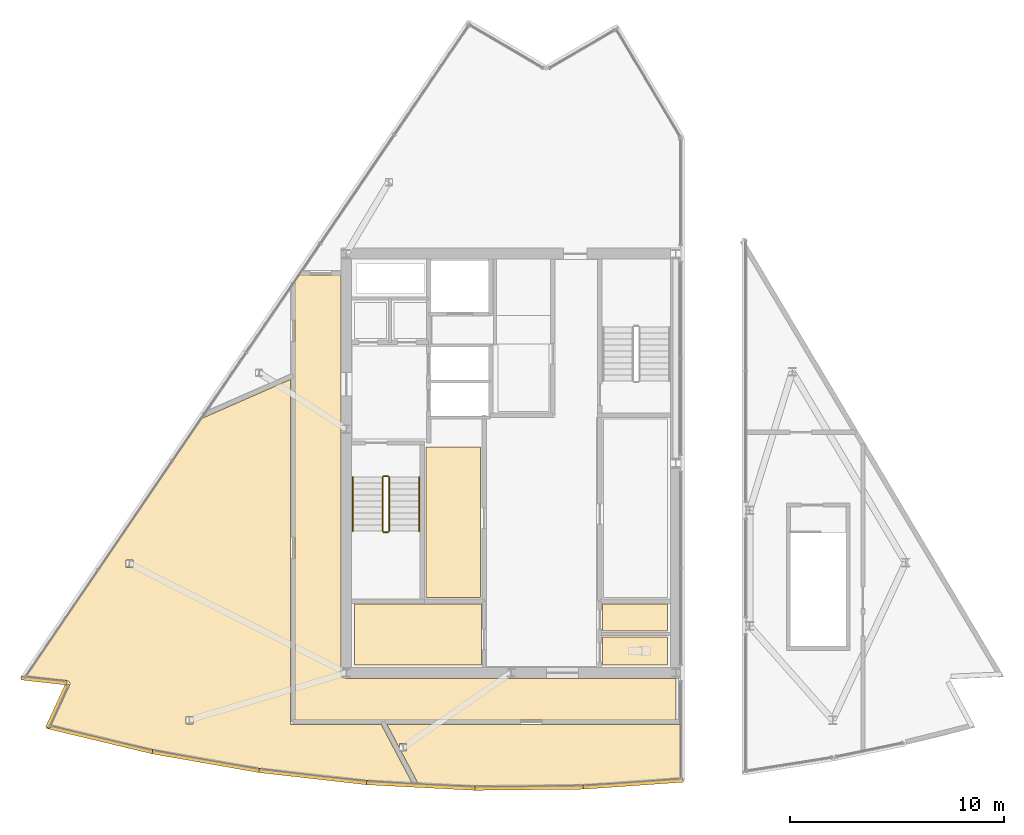
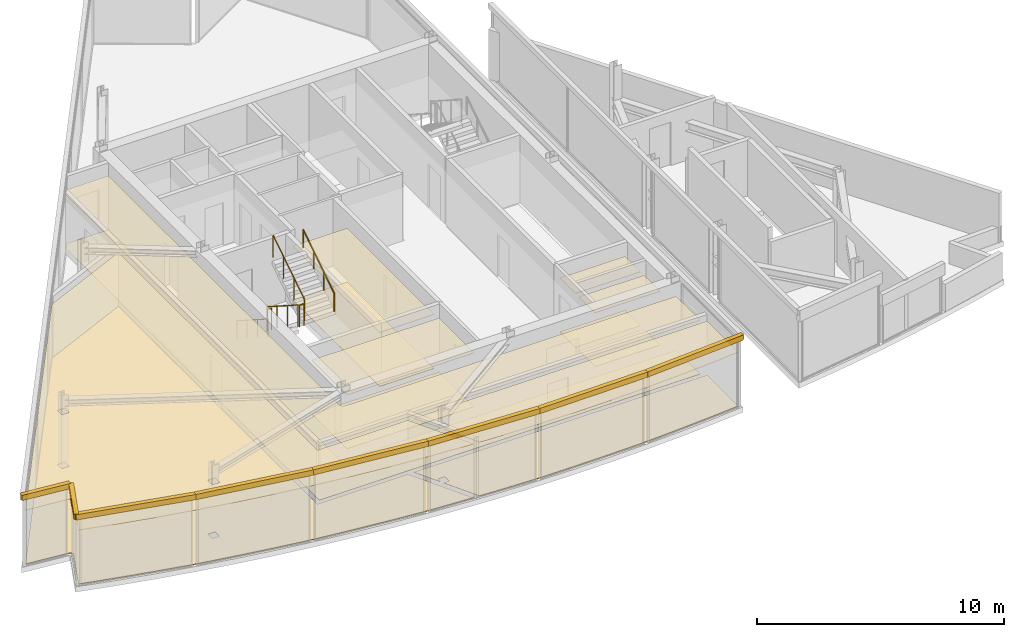
# One storey, part 10 of 13: 22 coverings, 6 railings.
"""IFC4 building model written with IfcOpenShell, lengths in metres."""

import ifcopenshell
import ifcopenshell.guid

model = None  # the IFC model being written
_history = None  # IfcOwnerHistory: only IFC2X3 demands one
_inside = {}  # id of a spatial element -> (the spatial element, [elements in it])
_under = {}  # id of a project, library or spatial element -> (it, [spatial elements below it])
_declared = {}  # id of a project -> (the project, [libraries it declares])
_typed = {}  # id of a type object -> (the type object, [elements of that type])
_made_of = {}  # id of a material, layer set ... -> (it, [elements and type objects made of it])


def new_model(schema):
    """Start an empty IFC model of exactly this schema.

    Asked for "IFC4X3", IfcOpenShell would pick the latest addendum, in which some entities
    have other attributes; the version numbers below select the first issue.
    IFC2X3 requires an IfcOwnerHistory on every rooted entity: one is made here for all.
    """
    global model, _history
    if schema == "IFC4X3":
        model = ifcopenshell.file(schema_version=(4, 3, 0, 0))
    else:
        model = ifcopenshell.file(schema=schema)
    _inside.clear()
    _under.clear()
    _declared.clear()
    _typed.clear()
    _made_of.clear()
    _history = None
    if model.schema == "IFC2X3":
        org = make("IfcOrganization", Name="unknown")
        user = make(
            "IfcPersonAndOrganization",
            ThePerson=make("IfcPerson", FamilyName="unknown"),
            TheOrganization=org,
        )
        app = make(
            "IfcApplication",
            ApplicationDeveloper=org,
            Version="unknown",
            ApplicationFullName="unknown",
            ApplicationIdentifier="unknown",
        )
        _history = make(
            "IfcOwnerHistory",
            OwningUser=user,
            OwningApplication=app,
            ChangeAction="ADDED",
            CreationDate=0,
        )
    return model


def make(cls, **values):
    """One entity of the class cls with the attributes given. An attribute that is None is left unset."""
    return model.create_entity(
        cls, **{name: value for name, value in values.items() if value is not None}
    )


def rooted(cls, **values):
    """An entity with a GlobalId (a new one), such as an element, a storey or a relation."""
    return make(cls, GlobalId=ifcopenshell.guid.new(), OwnerHistory=_history, **values)


def si_unit(unit_type, name, prefix=None):
    """IfcSIUnit, for example si_unit("LENGTHUNIT", "METRE", prefix="MILLI")."""
    return make("IfcSIUnit", UnitType=unit_type, Prefix=prefix, Name=name)


def assignment(units):
    """IfcUnitAssignment: the units of a project."""
    return None if units is None else make("IfcUnitAssignment", Units=units)


def point(xyz):
    """IfcCartesianPoint."""
    return None if xyz is None else make("IfcCartesianPoint", Coordinates=xyz)


def direction(xyz):
    """IfcDirection."""
    return None if xyz is None else make("IfcDirection", DirectionRatios=xyz)


def frame(location, z_axis=None, x_axis=None):
    """IfcAxis2Placement3D, a coordinate frame: its origin and axes. An axis left out is left unset."""
    return make(
        "IfcAxis2Placement3D",
        Location=point(location),
        Axis=direction(z_axis),
        RefDirection=direction(x_axis),
    )


def frame_2d(location, x_axis=None):
    """IfcAxis2Placement2D, a coordinate frame in the plane: its origin and x axis."""
    return make(
        "IfcAxis2Placement2D", Location=point(location), RefDirection=direction(x_axis)
    )


def origin():
    """The frame at (0, 0, 0) with its axes left unset."""
    return frame((0.0, 0.0, 0.0))


def origin_2d():
    """The frame at (0, 0) in the plane with its x axis left unset."""
    return frame_2d((0.0, 0.0))


def place(relative_to, where):
    """IfcLocalPlacement: puts the frame where relative to a parent placement (None: the world)."""
    return make(
        "IfcLocalPlacement", PlacementRelTo=relative_to, RelativePlacement=where
    )


def context(
    kind, dimensions, precision=None, world=None, true_north=None, identifier=None
):
    """IfcGeometricRepresentationContext, for example the 3D "Model" context."""
    return make(
        "IfcGeometricRepresentationContext",
        ContextIdentifier=identifier,
        ContextType=kind,
        CoordinateSpaceDimension=dimensions,
        Precision=precision,
        WorldCoordinateSystem=world,
        TrueNorth=true_north,
    )


def subcontext(parent, identifier, kind, view, scale=None):
    """IfcGeometricRepresentationSubContext, for example "Body" below "Model"."""
    return make(
        "IfcGeometricRepresentationSubContext",
        ContextIdentifier=identifier,
        ContextType=kind,
        ParentContext=parent,
        TargetScale=scale,
        TargetView=view,
    )


def project(units=None, contexts=None):
    """IfcProject with its units and contexts."""
    return rooted(
        "IfcProject",
        Name="project",
        RepresentationContexts=contexts,
        UnitsInContext=assignment(units),
    )


def spatial(cls, under=None, at=None, **own):
    """A site, building, storey or space (cls), placed at a placement, below another one or the project."""
    s = rooted(cls, ObjectPlacement=at, **own)
    if under is not None:
        _under.setdefault(under.id(), (under, []))[1].append(s)
    return s


def polyline(points):
    """IfcPolyline through the points."""
    return make("IfcPolyline", Points=[point(p) for p in points])


def profile(cls, at=None, kind="AREA", **sizes):
    """A parametric profile (cls). Its sizes go by their IFC names, for example OverallWidth=200.0."""
    return make(cls, ProfileType=kind, Position=at, **sizes)


def circle(**sizes):
    """IfcCircleProfileDef."""
    return profile("IfcCircleProfileDef", **sizes)


def outline(outer, holes=None, kind="AREA"):
    """IfcArbitraryClosedProfileDef: a profile drawn as a closed curve; with holes, ...WithVoids."""
    if holes is None:
        return make("IfcArbitraryClosedProfileDef", ProfileType=kind, OuterCurve=outer)
    return make(
        "IfcArbitraryProfileDefWithVoids",
        ProfileType=kind,
        OuterCurve=outer,
        InnerCurves=holes,
    )


def extrude(swept, where, along, depth):
    """IfcExtrudedAreaSolid: the profile swept, set in the frame where, extruded along a direction by depth."""
    return make(
        "IfcExtrudedAreaSolid",
        SweptArea=swept,
        Position=where,
        ExtrudedDirection=direction(along),
        Depth=depth,
    )


def shape(context_of_items, identifier, shape_type, items):
    """IfcShapeRepresentation: the items that make up one representation, for example the "Body"."""
    return make(
        "IfcShapeRepresentation",
        ContextOfItems=context_of_items,
        RepresentationIdentifier=identifier,
        RepresentationType=shape_type,
        Items=items,
    )


def material(Name=None, Category=None):
    """IfcMaterial."""
    return make("IfcMaterial", Name=Name, Category=Category)


def layer(
    of_material, thickness, ventilated=None, Name=None, Category=None, Priority=None
):
    """IfcMaterialLayer: one layer of a wall or slab, of a material (None: an air gap)."""
    return make(
        "IfcMaterialLayer",
        Material=of_material,
        LayerThickness=thickness,
        IsVentilated=ventilated,
        Name=Name,
        Category=Category,
        Priority=Priority,
    )


def layer_set(layers, Name=None):
    """IfcMaterialLayerSet."""
    return make("IfcMaterialLayerSet", MaterialLayers=layers, LayerSetName=Name)


def made_of(thing, what):
    """Note that an element or type object is made of a material, layer set ...; save() writes the relation."""
    if what is not None:
        _made_of.setdefault(what.id(), (what, []))[1].append(thing)
    return thing


def type_object(cls, material=None, **own):
    """A type object (cls), such as IfcWallType, which elements share."""
    return made_of(rooted(cls, **own), material)


def element(
    cls,
    number,
    at=None,
    inside=None,
    cuts=None,
    type_object=None,
    material=None,
    context=None,
    identifier="Body",
    shape_type=None,
    held_by="IfcProductDefinitionShape",
    body=None,
    shapes=None,
    **own,
):
    """One element of the class cls, such as IfcWall. Its Tag is "e" and its number.

    at: its placement. inside: the storey or other place that contains it. cuts: it is an
    opening in that element (IfcRelVoidsElement). A single representation is given by context,
    identifier, shape_type and body (its items); several are given by shapes. held_by: the class
    of the entity that holds the representations. save() writes the other relations.
    """
    e = rooted(cls, Tag="e%d" % number, ObjectPlacement=at, **own)
    if body is not None:
        shapes = [shape(context, identifier, shape_type, body)]
    if shapes is not None:
        e.Representation = make(held_by, Representations=shapes)
    if inside is not None:
        _inside.setdefault(inside.id(), (inside, []))[1].append(e)
    if cuts is not None:
        rooted(
            "IfcRelVoidsElement", RelatingBuildingElement=cuts, RelatedOpeningElement=e
        )
    if type_object is not None:
        _typed.setdefault(type_object.id(), (type_object, []))[1].append(e)
    return made_of(e, material)


def aggregate(whole, parts):
    """IfcRelAggregates: a whole, such as a stair, and the parts it consists of."""
    return rooted("IfcRelAggregates", RelatingObject=whole, RelatedObjects=parts)


def save(model, path):
    """Write the relations noted so far, then the file.

    IfcRelAggregates (storeys below a building ...), IfcRelContainedInSpatialStructure (elements
    in a storey), IfcRelDefinesByType, IfcRelAssociatesMaterial and IfcRelDeclares: one each for
    every whole, place, type object, material and project.
    """
    for whole, parts in _under.values():
        aggregate(whole, parts)
    for where, things in _inside.values():
        rooted(
            "IfcRelContainedInSpatialStructure",
            RelatedElements=things,
            RelatingStructure=where,
        )
    for kind, things in _typed.values():
        rooted("IfcRelDefinesByType", RelatedObjects=things, RelatingType=kind)
    for what, things in _made_of.values():
        rooted("IfcRelAssociatesMaterial", RelatedObjects=things, RelatingMaterial=what)
    for by, libraries in _declared.values():
        rooted("IfcRelDeclares", RelatingContext=by, RelatedDefinitions=libraries)
    model.write(path)


model = new_model("IFC4")

# Units and contexts
model_context = context("Model", 3, precision=1e-05, world=origin(), true_north=direction((0.0, 1.0)))
body_context = subcontext(model_context, "Body", "Model", "MODEL_VIEW")
ifc_project = project(units=[si_unit("LENGTHUNIT", "METRE"), si_unit("AREAUNIT", "SQUARE_METRE"), si_unit("VOLUMEUNIT", "CUBIC_METRE"), si_unit("PLANEANGLEUNIT", "RADIAN"), si_unit("MASSUNIT", "GRAM", prefix="KILO")], contexts=[model_context])

# Site, building, storey
site_placement = place(None, origin())
site = spatial("IfcSite", under=ifc_project, at=site_placement, CompositionType="ELEMENT")
building_placement = place(site_placement, origin())
building = spatial("IfcBuilding", under=site, at=building_placement, Name="Savorim Split Tower", CompositionType="ELEMENT")
storey_placement = place(building_placement, frame((0.0, 0.0, 312.0)))
storey = spatial("IfcBuildingStorey", under=building, at=storey_placement, Name="Crown L83 Plant", CompositionType="ELEMENT", Elevation=312.0)

# Coverings
ifc_material_1 = material(Name="Mineral Fibre Acoustic Ceiling")
ifc_layer_1 = layer(ifc_material_1, 0.02490234375)
ifc_layer_set_1 = layer_set([ifc_layer_1], Name="COV-CEIL-25")
covering_type_1 = type_object("IfcCoveringType", Name="COV-CEIL-25", PredefinedType="CEILING", material=ifc_layer_set_1)
covering_1_placement = place(storey_placement, frame((0.0, 0.0, 2.659912109375)))
element("IfcCovering", 1, at=covering_1_placement, inside=storey, type_object=covering_type_1, Name="Crown L83 Plant Core Mechanical Store West Acoustic Ceiling", PredefinedType="CEILING", context=body_context, shape_type="SweptSolid", body=[
    extrude(outline(polyline([(-3.969970703125, 1.169921875), (-3.969970703125, -5.8701171875), (-1.429931640625, -5.8701171875), (-1.429931640625, 1.169921875), (-3.969970703125, 1.169921875)])), origin(), (0.0, 0.0, 1.0), 0.025146484375),
])
covering_2_placement = place(storey_placement, frame((0.0, 0.0, 2.659912109375)))
element("IfcCovering", 2, at=covering_2_placement, inside=storey, type_object=covering_type_1, Name="Crown L83 Plant Housekeeping Store Acoustic Ceiling", PredefinedType="CEILING", context=body_context, shape_type="SweptSolid", body=[
    extrude(outline(polyline([(-7.320068359375, -6.179931640625), (-7.320068359375, -9.02001953125), (-1.3798828125, -9.02001953125), (-1.3798828125, -6.179931640625), (-7.320068359375, -6.179931640625)])), origin(), (0.0, 0.0, 1.0), 0.025146484375),
])
covering_3_placement = place(storey_placement, frame((0.0, 0.0, 2.659912109375)))
element("IfcCovering", 3, at=covering_3_placement, inside=storey, type_object=covering_type_1, Name="Crown L83 Plant Accessible WC Acoustic Ceiling", PredefinedType="CEILING", context=body_context, shape_type="SweptSolid", body=[
    extrude(outline(polyline([(4.280029296875, -7.719970703125), (4.280029296875, -9.02001953125), (7.320068359375, -9.02001953125), (7.320068359375, -7.719970703125), (4.280029296875, -7.719970703125)])), origin(), (0.0, 0.0, 1.0), 0.025146484375),
])
covering_4_placement = place(storey_placement, frame((0.0, 0.0, 2.659912109375)))
element("IfcCovering", 4, at=covering_4_placement, inside=storey, type_object=covering_type_1, Name="Crown L83 Plant Cleaning Store Acoustic Ceiling", PredefinedType="CEILING", context=body_context, shape_type="SweptSolid", body=[
    extrude(outline(polyline([(4.280029296875, -6.179931640625), (4.280029296875, -7.43994140625), (7.320068359375, -7.43994140625), (7.320068359375, -6.179931640625), (4.280029296875, -6.179931640625)])), origin(), (0.0, 0.0, 1.0), 0.025146484375),
])
covering_5_placement = place(storey_placement, frame((0.0, 0.0, 2.659912109375)))
element("IfcCovering", 5, at=covering_5_placement, inside=storey, type_object=covering_type_1, Name="Crown L83 Plant Plant Corridor Acoustic Ceiling", PredefinedType="CEILING", context=body_context, shape_type="SweptSolid", body=[
    extrude(outline(polyline([(-10.10009765625, -11.60009765625), (-7.699951171875, -11.60009765625), (7.699951171875, -11.60009765625), (7.699951171875, -9.64990234375), (-7.699951171875, -9.64990234375), (-7.724609375, -9.648681640625), (-7.748779296875, -9.645263671875), (-7.772705078125, -9.63916015625), (-7.795654296875, -9.631103515625), (-7.81787109375, -9.62060546875), (-7.8388671875, -9.60791015625), (-7.85498046875, -9.595947265625), (-7.89697265625, -9.595947265625), (-7.89697265625, -9.553466796875), (-7.907958984375, -9.538818359375), (-7.92041015625, -9.517822265625), (-7.930908203125, -9.49560546875), (-7.939208984375, -9.47265625), (-7.9453125, -9.44873046875), (-7.94873046875, -9.424560546875), (-7.949951171875, -9.39990234375), (-7.949951171875, 9.199951171875), (-9.89599609375, 9.199951171875), (-10.10009765625, 8.900146484375), (-10.10009765625, -9.39990234375), (-10.10009765625, -11.60009765625)])), origin(), (0.0, 0.0, 1.0), 0.025146484375),
])
covering_6_placement = place(storey_placement, frame((0.0, 0.0, 2.659912109375)))
element("IfcCovering", 6, at=covering_6_placement, inside=storey, type_object=covering_type_1, Name="Crown L83 Plant AHU Mechanical Plant Room Acoustic Ceiling", PredefinedType="CEILING", context=body_context, shape_type="SweptSolid", body=[
    extrude(outline(polyline([(-8.41552734375, -14.274658203125), (-6.736572265625, -14.4296875), (-5.054931640625, -14.55029296875), (-4.609375, -14.5732421875), (-6.072509765625, -11.800048828125), (-10.06005859375, -11.800048828125), (-10.179931640625, -11.800048828125), (-10.300048828125, -11.800048828125), (-10.300048828125, -11.56005859375), (-10.300048828125, 4.31640625), (-14.352783203125, 2.538818359375), (-14.459228515625, 2.4921875), (-22.654541015625, -9.554931640625), (-20.7470703125, -9.76806640625), (-20.733154296875, -9.770263671875), (-20.7197265625, -9.773681640625), (-20.706787109375, -9.77880859375), (-20.6943359375, -9.784912109375), (-20.6826171875, -9.792236328125), (-20.67138671875, -9.80078125), (-20.661376953125, -9.810302734375), (-20.652099609375, -9.82080078125), (-20.644287109375, -9.832275390625), (-20.63720703125, -9.844482421875), (-20.631591796875, -9.857177734375), (-20.62744140625, -9.870361328125), (-20.62451171875, -9.8837890625), (-20.622802734375, -9.897705078125), (-20.62255859375, -9.91162109375), (-20.623779296875, -9.925537109375), (-20.626220703125, -9.939208984375), (-20.630126953125, -9.95263671875), (-20.63525390625, -9.965576171875), (-21.500732421875, -11.84912109375), (-20.02978515625, -12.23388671875), (-18.39013671875, -12.626953125), (-16.742919921875, -12.986572265625), (-15.088623046875, -13.312255859375), (-13.427978515625, -13.60400390625), (-11.761962890625, -13.86181640625), (-10.0908203125, -14.085205078125), (-8.41552734375, -14.274658203125)]), holes=[polyline([(-14.872314453125, -11.776611328125), (-14.872314453125, -11.426513671875), (-15.2021484375, -11.426513671875), (-15.2021484375, -11.776611328125), (-14.872314453125, -11.776611328125)]), polyline([(-17.67529296875, -4.463623046875), (-17.67529296875, -4.11376953125), (-18.00537109375, -4.11376953125), (-18.00537109375, -4.463623046875), (-17.67529296875, -4.463623046875)])]), origin(), (0.0, 0.0, 1.0), 0.025146484375),
])
covering_7_placement = place(storey_placement, frame((0.0, 0.0, 2.659912109375)))
element("IfcCovering", 7, at=covering_7_placement, inside=storey, type_object=covering_type_1, Name="Crown L83 Plant Chiller Plant Room Acoustic Ceiling", PredefinedType="CEILING", context=body_context, shape_type="SweptSolid", body=[
    extrude(outline(polyline([(3.37109375, -14.63671875), (5.054931640625, -14.55029296875), (6.736572265625, -14.4296875), (7.909912109375, -14.3212890625), (7.909912109375, -11.800048828125), (-5.801025390625, -11.800048828125), (-5.20458984375, -12.930419921875), (-5.20458984375, -12.710205078125), (-4.874755859375, -12.710205078125), (-4.874755859375, -13.06005859375), (-5.13623046875, -13.06005859375), (-4.342041015625, -14.5654296875), (-4.330322265625, -14.58740234375), (-3.37109375, -14.63671875), (-1.685791015625, -14.688232421875), (0.0, -14.70556640625), (1.685791015625, -14.688232421875), (3.37109375, -14.63671875)])), origin(), (0.0, 0.0, 1.0), 0.025146484375),
])
ifc_material_2 = material(Name="Terracotta Ceramic-Coated Aluminium Fin", Category="masonry")
ifc_layer_2 = layer(ifc_material_2, 0.050048828125)
ifc_layer_set_2 = layer_set([ifc_layer_2], Name="COV-CLAD-TERRA")
covering_type_2 = type_object("IfcCoveringType", Name="COV-CLAD-TERRA", PredefinedType="CLADDING", material=ifc_layer_set_2)
covering_8_placement = place(storey_placement, frame((0.0, 0.0, 3.340087890625)))
element("IfcCovering", 8, at=covering_8_placement, inside=storey, type_object=covering_type_2, Name="Crown L83 Plant Sloped Crest Eave Spandrel W6", PredefinedType="CLADDING", context=body_context, shape_type="SweptSolid", body=[
    extrude(outline(polyline([(-22.90771484375, -9.727783203125), (-20.769287109375, -9.966796875), (-20.7470703125, -9.76806640625), (-22.885498046875, -9.529296875), (-22.90771484375, -9.727783203125)])), origin(), (0.0, 0.0, 1.0), 0.260009765625),
])
covering_9_placement = place(storey_placement, frame((0.0, 0.0, 3.340087890625)))
element("IfcCovering", 9, at=covering_9_placement, inside=storey, type_object=covering_type_2, Name="Crown L83 Plant Sloped Crest Eave Spandrel W7", PredefinedType="CLADDING", context=body_context, shape_type="SweptSolid", body=[
    extrude(outline(polyline([(-20.81689453125, -9.882080078125), (-21.752197265625, -11.91748046875), (-21.5703125, -12.000732421875), (-20.63525390625, -9.965576171875), (-20.81689453125, -9.882080078125)])), origin(), (0.0, 0.0, 1.0), 0.260009765625),
])
covering_10_placement = place(storey_placement, frame((0.0, 0.0, 3.340087890625)))
element("IfcCovering", 10, at=covering_10_placement, inside=storey, type_object=covering_type_2, Name="Crown L83 Plant Sloped Crest Eave Spandrel W8", PredefinedType="CLADDING", context=body_context, shape_type="SweptSolid", body=[
    extrude(outline(polyline([(-21.711669921875, -12.000732421875), (-16.785400390625, -13.181884765625), (-16.73876953125, -12.987548828125), (-21.6650390625, -11.806396484375), (-21.711669921875, -12.000732421875)])), origin(), (0.0, 0.0, 1.0), 0.260009765625),
])
covering_11_placement = place(storey_placement, frame((0.0, 0.0, 3.340087890625)))
element("IfcCovering", 11, at=covering_11_placement, inside=storey, type_object=covering_type_2, Name="Crown L83 Plant Sloped Crest Eave Spandrel W9", PredefinedType="CLADDING", context=body_context, shape_type="SweptSolid", body=[
    extrude(outline(polyline([(-16.78173828125, -13.1826171875), (-11.792236328125, -14.059326171875), (-11.7578125, -13.8623046875), (-16.7470703125, -12.985595703125), (-16.78173828125, -13.1826171875)])), origin(), (0.0, 0.0, 1.0), 0.260009765625),
])
covering_12_placement = place(storey_placement, frame((0.0, 0.0, 3.340087890625)))
element("IfcCovering", 12, at=covering_12_placement, inside=storey, type_object=covering_type_2, Name="Crown L83 Plant Sloped Crest Eave Spandrel W10", PredefinedType="CLADDING", context=body_context, shape_type="SweptSolid", body=[
    extrude(outline(polyline([(-11.78857421875, -14.059814453125), (-6.754638671875, -14.62890625), (-6.732421875, -14.43017578125), (-11.76611328125, -13.861083984375), (-11.78857421875, -14.059814453125)])), origin(), (0.0, 0.0, 1.0), 0.260009765625),
])
covering_13_placement = place(storey_placement, frame((0.0, 0.0, 3.340087890625)))
element("IfcCovering", 13, at=covering_13_placement, inside=storey, type_object=covering_type_2, Name="Crown L83 Plant Sloped Crest Eave Spandrel W11", PredefinedType="CLADDING", context=body_context, shape_type="SweptSolid", body=[
    extrude(outline(polyline([(-6.751220703125, -14.629150390625), (-1.69189453125, -14.88818359375), (-1.681640625, -14.6884765625), (-6.74072265625, -14.429443359375), (-6.751220703125, -14.629150390625)])), origin(), (0.0, 0.0, 1.0), 0.260009765625),
])
covering_14_placement = place(storey_placement, frame((0.0, 0.0, 3.340087890625)))
element("IfcCovering", 14, at=covering_14_placement, inside=storey, type_object=covering_type_2, Name="Crown L83 Plant Sloped Crest Eave Spandrel W12", PredefinedType="CLADDING", context=body_context, shape_type="SweptSolid", body=[
    extrude(outline(polyline([(-1.688232421875, -14.88818359375), (3.37744140625, -14.83642578125), (3.37548828125, -14.636474609375), (-1.690185546875, -14.688232421875), (-1.688232421875, -14.88818359375)])), origin(), (0.0, 0.0, 1.0), 0.260009765625),
])
covering_15_placement = place(storey_placement, frame((0.0, 0.0, 3.340087890625)))
element("IfcCovering", 15, at=covering_15_placement, inside=storey, type_object=covering_type_2, Name="Crown L83 Plant Sloped Crest Eave Spandrel W13", PredefinedType="CLADDING", context=body_context, shape_type="SweptSolid", body=[
    extrude(outline(polyline([(3.381103515625, -14.83642578125), (8.05419921875, -14.509033203125), (8.040283203125, -14.309326171875), (3.366943359375, -14.63671875), (3.381103515625, -14.83642578125)])), origin(), (0.0, 0.0, 1.0), 0.260009765625),
])
ifc_material_3 = material(Name="Porcelain Stoneware Flooring", Category="masonry")
ifc_layer_3 = layer(ifc_material_3, 0.02001953125)
ifc_layer_set_3 = layer_set([ifc_layer_3], Name="COV-FLOR-20")
covering_type_3 = type_object("IfcCoveringType", Name="COV-FLOR-20", PredefinedType="FLOORING", material=ifc_layer_set_3)
covering_16_placement = place(storey_placement, origin())
element("IfcCovering", 16, at=covering_16_placement, inside=storey, type_object=covering_type_3, Name="Crown L83 Plant Core Mechanical Store West Porcelain Flooring", PredefinedType="FLOORING", context=body_context, shape_type="SweptSolid", body=[
    extrude(outline(polyline([(-3.969970703125, 1.169921875), (-3.969970703125, -5.8701171875), (-1.429931640625, -5.8701171875), (-1.429931640625, 1.169921875), (-3.969970703125, 1.169921875)])), origin(), (0.0, 0.0, 1.0), 0.02001953125),
])
covering_17_placement = place(storey_placement, origin())
element("IfcCovering", 17, at=covering_17_placement, inside=storey, type_object=covering_type_3, Name="Crown L83 Plant Housekeeping Store Porcelain Flooring", PredefinedType="FLOORING", context=body_context, shape_type="SweptSolid", body=[
    extrude(outline(polyline([(-7.320068359375, -6.179931640625), (-7.320068359375, -9.02001953125), (-1.3798828125, -9.02001953125), (-1.3798828125, -6.179931640625), (-7.320068359375, -6.179931640625)])), origin(), (0.0, 0.0, 1.0), 0.02001953125),
])
covering_18_placement = place(storey_placement, origin())
element("IfcCovering", 18, at=covering_18_placement, inside=storey, type_object=covering_type_3, Name="Crown L83 Plant Accessible WC Porcelain Flooring", PredefinedType="FLOORING", context=body_context, shape_type="SweptSolid", body=[
    extrude(outline(polyline([(4.280029296875, -7.719970703125), (4.280029296875, -9.02001953125), (7.320068359375, -9.02001953125), (7.320068359375, -7.719970703125), (4.280029296875, -7.719970703125)])), origin(), (0.0, 0.0, 1.0), 0.02001953125),
])
covering_19_placement = place(storey_placement, origin())
element("IfcCovering", 19, at=covering_19_placement, inside=storey, type_object=covering_type_3, Name="Crown L83 Plant Cleaning Store Porcelain Flooring", PredefinedType="FLOORING", context=body_context, shape_type="SweptSolid", body=[
    extrude(outline(polyline([(4.280029296875, -6.179931640625), (4.280029296875, -7.43994140625), (7.320068359375, -7.43994140625), (7.320068359375, -6.179931640625), (4.280029296875, -6.179931640625)])), origin(), (0.0, 0.0, 1.0), 0.02001953125),
])
covering_20_placement = place(storey_placement, origin())
element("IfcCovering", 20, at=covering_20_placement, inside=storey, type_object=covering_type_3, Name="Crown L83 Plant Plant Corridor Porcelain Flooring", PredefinedType="FLOORING", context=body_context, shape_type="SweptSolid", body=[
    extrude(outline(polyline([(-10.10009765625, -11.60009765625), (-7.699951171875, -11.60009765625), (7.699951171875, -11.60009765625), (7.699951171875, -9.64990234375), (-7.699951171875, -9.64990234375), (-7.724609375, -9.648681640625), (-7.748779296875, -9.645263671875), (-7.772705078125, -9.63916015625), (-7.795654296875, -9.631103515625), (-7.81787109375, -9.62060546875), (-7.8388671875, -9.60791015625), (-7.85498046875, -9.595947265625), (-7.89697265625, -9.595947265625), (-7.89697265625, -9.553466796875), (-7.907958984375, -9.538818359375), (-7.92041015625, -9.517822265625), (-7.930908203125, -9.49560546875), (-7.939208984375, -9.47265625), (-7.9453125, -9.44873046875), (-7.94873046875, -9.424560546875), (-7.949951171875, -9.39990234375), (-7.949951171875, 9.199951171875), (-9.89599609375, 9.199951171875), (-10.10009765625, 8.900146484375), (-10.10009765625, -9.39990234375), (-10.10009765625, -11.60009765625)])), origin(), (0.0, 0.0, 1.0), 0.02001953125),
])
covering_21_placement = place(storey_placement, origin())
element("IfcCovering", 21, at=covering_21_placement, inside=storey, type_object=covering_type_3, Name="Crown L83 Plant AHU Mechanical Plant Room Porcelain Flooring", PredefinedType="FLOORING", context=body_context, shape_type="SweptSolid", body=[
    extrude(outline(polyline([(-8.41552734375, -14.274658203125), (-6.736572265625, -14.4296875), (-5.054931640625, -14.55029296875), (-4.609375, -14.5732421875), (-6.072509765625, -11.800048828125), (-10.06005859375, -11.800048828125), (-10.179931640625, -11.800048828125), (-10.300048828125, -11.800048828125), (-10.300048828125, -11.56005859375), (-10.300048828125, 4.31640625), (-14.352783203125, 2.538818359375), (-14.459228515625, 2.4921875), (-22.654541015625, -9.554931640625), (-20.7470703125, -9.76806640625), (-20.733154296875, -9.770263671875), (-20.7197265625, -9.773681640625), (-20.706787109375, -9.77880859375), (-20.6943359375, -9.784912109375), (-20.6826171875, -9.792236328125), (-20.67138671875, -9.80078125), (-20.661376953125, -9.810302734375), (-20.652099609375, -9.82080078125), (-20.644287109375, -9.832275390625), (-20.63720703125, -9.844482421875), (-20.631591796875, -9.857177734375), (-20.62744140625, -9.870361328125), (-20.62451171875, -9.8837890625), (-20.622802734375, -9.897705078125), (-20.62255859375, -9.91162109375), (-20.623779296875, -9.925537109375), (-20.626220703125, -9.939208984375), (-20.630126953125, -9.95263671875), (-20.63525390625, -9.965576171875), (-21.500732421875, -11.84912109375), (-20.02978515625, -12.23388671875), (-18.39013671875, -12.626953125), (-16.742919921875, -12.986572265625), (-15.088623046875, -13.312255859375), (-13.427978515625, -13.60400390625), (-11.761962890625, -13.86181640625), (-10.0908203125, -14.085205078125), (-8.41552734375, -14.274658203125)]), holes=[polyline([(-14.872314453125, -11.776611328125), (-14.872314453125, -11.426513671875), (-15.2021484375, -11.426513671875), (-15.2021484375, -11.776611328125), (-14.872314453125, -11.776611328125)]), polyline([(-17.67529296875, -4.463623046875), (-17.67529296875, -4.11376953125), (-18.00537109375, -4.11376953125), (-18.00537109375, -4.463623046875), (-17.67529296875, -4.463623046875)])]), origin(), (0.0, 0.0, 1.0), 0.02001953125),
])
covering_22_placement = place(storey_placement, origin())
element("IfcCovering", 22, at=covering_22_placement, inside=storey, type_object=covering_type_3, Name="Crown L83 Plant Chiller Plant Room Porcelain Flooring", PredefinedType="FLOORING", context=body_context, shape_type="SweptSolid", body=[
    extrude(outline(polyline([(3.37109375, -14.63671875), (5.054931640625, -14.55029296875), (6.736572265625, -14.4296875), (7.909912109375, -14.3212890625), (7.909912109375, -11.800048828125), (-5.801025390625, -11.800048828125), (-5.20458984375, -12.930419921875), (-5.20458984375, -12.710205078125), (-4.874755859375, -12.710205078125), (-4.874755859375, -13.06005859375), (-5.13623046875, -13.06005859375), (-4.342041015625, -14.5654296875), (-4.330322265625, -14.58740234375), (-3.37109375, -14.63671875), (-1.685791015625, -14.688232421875), (0.0, -14.70556640625), (1.685791015625, -14.688232421875), (3.37109375, -14.63671875)])), origin(), (0.0, 0.0, 1.0), 0.02001953125),
])

# Railings
ifc_material_4 = material(Name="Galvanised Painted Steel Balustrade", Category="steel")
railing_type_1 = type_object("IfcRailingType", Name="RLG-HR-900", PredefinedType="HANDRAIL", material=ifc_material_4)
railing_1_placement = place(storey_placement, frame((-7.39990234375, -0.25, 0.179931640625)))
element("IfcRailing", 23, at=railing_1_placement, inside=storey, type_object=railing_type_1, Name="Crown L83 Plant ST-1 stair handrail 1", PredefinedType="HANDRAIL", context=body_context, shape_type="SweptSolid", body=[
    extrude(circle(Radius=0.02392578125, at=origin_2d()), frame((0.0, 0.0, 0.8759765625), z_axis=(0.0, -0.841162588446, 0.540782303519), x_axis=(1.0, 0.0, 0.0)), (0.0, 0.0, 1.0), 2.995849609375),
    extrude(circle(Radius=0.02099609375, at=origin_2d()), origin(), (0.0, 0.0, 1.0), 0.851806640625),
    extrude(circle(Radius=0.02099609375, at=origin_2d()), frame((0.0, -0.840087890625, 0.5400390625)), (0.0, 0.0, 1.0), 0.851806640625),
    extrude(circle(Radius=0.02099609375, at=origin_2d()), frame((0.0, -1.679931640625, 1.080078125)), (0.0, 0.0, 1.0), 0.851806640625),
    extrude(circle(Radius=0.02099609375, at=origin_2d()), frame((0.0, -2.52001953125, 1.6201171875)), (0.0, 0.0, 1.0), 0.851806640625),
])
railing_2_placement = place(storey_placement, frame((-4.300048828125, -2.77001953125, 1.97998046875)))
element("IfcRailing", 24, at=railing_2_placement, inside=storey, type_object=railing_type_1, Name="Crown L83 Plant ST-1 stair handrail 2", PredefinedType="HANDRAIL", context=body_context, shape_type="SweptSolid", body=[
    extrude(circle(Radius=0.02392578125, at=origin_2d()), frame((0.0, 0.0, 0.8759765625), z_axis=(0.0, 0.841162588446, 0.540782303519), x_axis=(-1.0, 0.0, 0.0)), (0.0, 0.0, 1.0), 2.995849609375),
    extrude(circle(Radius=0.02099609375, at=origin_2d()), origin(), (0.0, 0.0, 1.0), 0.851806640625),
    extrude(circle(Radius=0.02099609375, at=origin_2d()), frame((0.0, 0.840087890625, 0.5400390625)), (0.0, 0.0, 1.0), 0.851806640625),
    extrude(circle(Radius=0.02099609375, at=origin_2d()), frame((0.0, 1.679931640625, 1.080078125)), (0.0, 0.0, 1.0), 0.851806640625),
    extrude(circle(Radius=0.02099609375, at=origin_2d()), frame((0.0, 2.52001953125, 1.6201171875)), (0.0, 0.0, 1.0), 0.851806640625),
])
railing_type_2 = type_object("IfcRailingType", Name="RLG-STG-1100", PredefinedType="BALUSTRADE", material=ifc_material_4)
railing_3_placement = place(storey_placement, frame((-6.0, -0.25, 0.179931640625)))
element("IfcRailing", 25, at=railing_3_placement, inside=storey, type_object=railing_type_2, Name="Crown L83 Plant ST-1 stair guard 1", PredefinedType="BALUSTRADE", context=body_context, shape_type="SweptSolid", body=[
    extrude(circle(Radius=0.02392578125, at=origin_2d()), frame((0.0, 0.0, 1.076171875), z_axis=(0.0, -0.841162588446, 0.540782303519), x_axis=(1.0, 0.0, 0.0)), (0.0, 0.0, 1.0), 2.995849609375),
    extrude(circle(Radius=0.02099609375, at=origin_2d()), origin(), (0.0, 0.0, 1.0), 1.052001953125),
    extrude(circle(Radius=0.02099609375, at=origin_2d()), frame((0.0, -0.840087890625, 0.5400390625)), (0.0, 0.0, 1.0), 1.052001953125),
    extrude(circle(Radius=0.02099609375, at=origin_2d()), frame((0.0, -1.679931640625, 1.080078125)), (0.0, 0.0, 1.0), 1.052001953125),
    extrude(circle(Radius=0.02099609375, at=origin_2d()), frame((0.0, -2.52001953125, 1.6201171875)), (0.0, 0.0, 1.0), 1.052001953125),
])
railing_4_placement = place(storey_placement, frame((-5.949951171875, -2.820068359375, 1.800048828125)))
element("IfcRailing", 26, at=railing_4_placement, inside=storey, type_object=railing_type_2, Name="Crown L83 Plant ST-1 stair guard 2", PredefinedType="BALUSTRADE", context=body_context, shape_type="SweptSolid", body=[
    extrude(circle(Radius=0.02392578125, at=origin_2d()), frame((0.0, 0.0, 1.076171875), z_axis=(1.0, 0.0, 0.0), x_axis=(0.0, 1.0, 0.0)), (0.0, 0.0, 1.0), 0.199951171875),
    extrude(circle(Radius=0.02099609375, at=origin_2d()), origin(), (0.0, 0.0, 1.0), 1.052001953125),
    extrude(circle(Radius=0.02099609375, at=origin_2d()), frame((0.199951171875, 0.0, 0.0)), (0.0, 0.0, 1.0), 1.052001953125),
])
railing_5_placement = place(storey_placement, frame((-5.699951171875, -2.77001953125, 1.97998046875)))
element("IfcRailing", 27, at=railing_5_placement, inside=storey, type_object=railing_type_2, Name="Crown L83 Plant ST-1 stair guard 3", PredefinedType="BALUSTRADE", context=body_context, shape_type="SweptSolid", body=[
    extrude(circle(Radius=0.02392578125, at=origin_2d()), frame((0.0, 0.0, 1.076171875), z_axis=(0.0, 0.841162588446, 0.540782303519), x_axis=(-1.0, 0.0, 0.0)), (0.0, 0.0, 1.0), 2.995849609375),
    extrude(circle(Radius=0.02099609375, at=origin_2d()), origin(), (0.0, 0.0, 1.0), 1.052001953125),
    extrude(circle(Radius=0.02099609375, at=origin_2d()), frame((0.0, 0.840087890625, 0.5400390625)), (0.0, 0.0, 1.0), 1.052001953125),
    extrude(circle(Radius=0.02099609375, at=origin_2d()), frame((0.0, 1.679931640625, 1.080078125)), (0.0, 0.0, 1.0), 1.052001953125),
    extrude(circle(Radius=0.02099609375, at=origin_2d()), frame((0.0, 2.52001953125, 1.6201171875)), (0.0, 0.0, 1.0), 1.052001953125),
])
railing_6_placement = place(storey_placement, frame((-5.949951171875, -0.199951171875, 0.0)))
element("IfcRailing", 28, at=railing_6_placement, inside=storey, type_object=railing_type_2, Name="Crown L83 Plant ST-1 stair guard 4", PredefinedType="BALUSTRADE", context=body_context, shape_type="SweptSolid", body=[
    extrude(circle(Radius=0.02392578125, at=origin_2d()), frame((0.0, 0.0, 1.076171875), z_axis=(1.0, 0.0, 0.0), x_axis=(0.0, 1.0, 0.0)), (0.0, 0.0, 1.0), 0.199951171875),
    extrude(circle(Radius=0.02099609375, at=origin_2d()), origin(), (0.0, 0.0, 1.0), 1.052001953125),
    extrude(circle(Radius=0.02099609375, at=origin_2d()), frame((0.199951171875, 0.0, 0.0)), (0.0, 0.0, 1.0), 1.052001953125),
])

save(model, "model.ifc")
